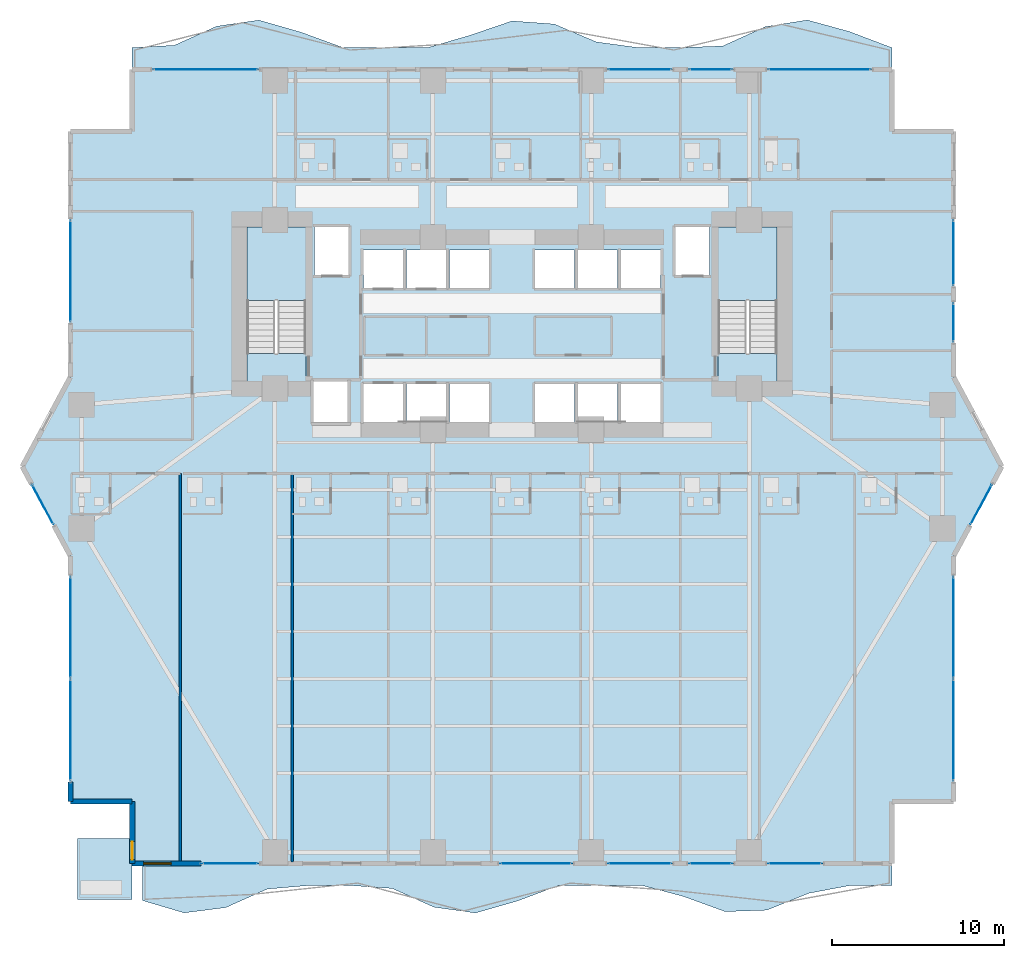
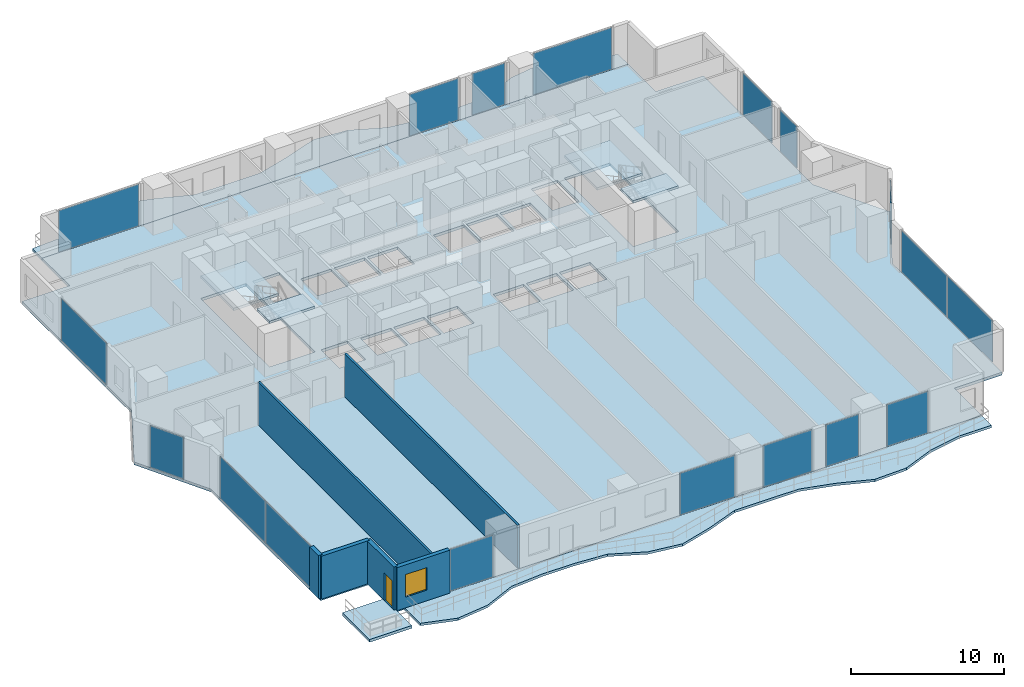
# One storey, part 17 of 28: 18 plates, 8 slabs, 6 walls, 1 door, 1 window, 2 openings, 18 elements without a shape of their own.
"""IFC4 building model written with IfcOpenShell, lengths in metres."""

from ifc_helpers import new_model, si_unit, direction, frame, frame_2d, origin, origin_2d, place, context, subcontext, project, spatial, polyline, rectangle, outline, extrude, material, layer, layer_set, type_object, element, fill, aggregate, save


model = new_model("IFC4")

# Units and contexts
model_context = context("Model", 3, precision=1e-05, world=origin(), true_north=direction((0.0, 1.0)))
body_context = subcontext(model_context, "Body", "Model", "MODEL_VIEW")
ifc_project = project(units=[si_unit("LENGTHUNIT", "METRE"), si_unit("AREAUNIT", "SQUARE_METRE"), si_unit("VOLUMEUNIT", "CUBIC_METRE"), si_unit("PLANEANGLEUNIT", "RADIAN"), si_unit("MASSUNIT", "GRAM", prefix="KILO")], contexts=[model_context])

# Site, building, storey
site_placement = place(None, origin())
site = spatial("IfcSite", under=ifc_project, at=site_placement, CompositionType="ELEMENT")
building_placement = place(site_placement, origin())
building = spatial("IfcBuilding", under=site, at=building_placement, Name="Zuhayl Quay Hotel", CompositionType="ELEMENT")
storey_placement = place(building_placement, frame((0.0, 0.0, 34.89990234375)))
storey = spatial("IfcBuildingStorey", under=building, at=storey_placement, Name="L07", CompositionType="ELEMENT", Elevation=34.89990234375)

# Curtain wall, plates
ifc_material_1 = material(Name="Anodised Aluminium 6063-T6", Category="aluminium")
ifc_layer_1 = layer(ifc_material_1, 0.18994140625, Name="Anodised Aluminium 6063-T6", Category="aluminium")
ifc_layer_set_1 = layer_set([ifc_layer_1], Name="Anodised Aluminium 6063-T6")
curtain_wall_type = type_object("IfcCurtainWallType", Name="CW_SYS_Z1", PredefinedType="USERDEFINED", material=ifc_layer_set_1)
curtain_wall_1_placement = place(storey_placement, origin())
curtain_wall_1 = element("IfcCurtainWall", 1, at=curtain_wall_1_placement, inside=storey, type_object=curtain_wall_type, Name="L07 Curtain Wall ENV_L07_E02_CW1", ObjectType="UNITISED CURTAIN WALL", PredefinedType="USERDEFINED")
ifc_material_2 = material(Name="Dark Ceramic-Fritted Solar Glass", Category="glass")
ifc_layer_2 = layer(ifc_material_2, 0.035888671875, Name="Dark Ceramic-Fritted Solar Glass", Category="glass")
ifc_layer_set_2 = layer_set([ifc_layer_2], Name="Dark Ceramic-Fritted Solar Glass")
plate_type = type_object("IfcPlateType", Name="PN_DARK_FRIT_Z1", PredefinedType="CURTAIN_PANEL", material=ifc_layer_set_2)
plate_1_placement = place(storey_placement, frame((-25.699951171875, -15.331298828125, 0.06005859375), z_axis=(0.0, 0.0, 1.0), x_axis=(0.0, 1.0, 0.0)))
plate_1 = element("IfcPlate", 2, at=plate_1_placement, type_object=plate_type, Name="CW-Z1 panel 1.1", PredefinedType="CURTAIN_PANEL", context=body_context, shape_type="SweptSolid", body=[
    extrude(rectangle(XDim=5.887451171875, YDim=0.035888671875, at=origin_2d()), origin(), (0.0, 0.0, 1.0), 3.31005859375),
])
plate_2_placement = place(storey_placement, frame((-25.699951171875, -9.36865234375, 0.06005859375), z_axis=(0.0, 0.0, 1.0), x_axis=(0.0, 1.0, 0.0)))
plate_2 = element("IfcPlate", 3, at=plate_2_placement, type_object=plate_type, Name="CW-Z1 panel 2.1", PredefinedType="CURTAIN_PANEL", context=body_context, shape_type="SweptSolid", body=[
    extrude(rectangle(XDim=5.887451171875, YDim=0.035888671875, at=origin_2d()), origin(), (0.0, 0.0, 1.0), 3.31005859375),
])
aggregate(curtain_wall_1, [plate_1, plate_2])

# Curtain wall, plate
curtain_wall_2_placement = place(storey_placement, origin())
curtain_wall_2 = element("IfcCurtainWall", 4, at=curtain_wall_2_placement, inside=storey, type_object=curtain_wall_type, Name="L07 Curtain Wall ENV_L07_E03_CW1", ObjectType="UNITISED CURTAIN WALL", PredefinedType="USERDEFINED")
plate_3_placement = place(storey_placement, frame((-27.306396484375, -2.216796875, 0.06005859375), z_axis=(0.0, 0.0, 1.0), x_axis=(-0.474091102632, 0.880475795468, 0.0)))
plate_3 = element("IfcPlate", 5, at=plate_3_placement, type_object=plate_type, Name="CW-Z1 panel 1.1", PredefinedType="CURTAIN_PANEL", context=body_context, shape_type="SweptSolid", body=[
    extrude(rectangle(XDim=2.58544921875, YDim=0.035888671875, at=origin_2d()), origin(), (0.0, 0.0, 1.0), 3.31005859375),
])
aggregate(curtain_wall_2, [plate_3])

curtain_wall_3_placement = place(storey_placement, origin())
curtain_wall_3 = element("IfcCurtainWall", 6, at=curtain_wall_3_placement, inside=storey, type_object=curtain_wall_type, Name="L07 Curtain Wall ENV_L07_E05_CW1", ObjectType="UNITISED CURTAIN WALL", PredefinedType="USERDEFINED")
plate_4_placement = place(storey_placement, frame((-25.699951171875, 11.375, 0.06005859375), z_axis=(0.0, 0.0, 1.0), x_axis=(0.0, 1.0, 0.0)))
plate_4 = element("IfcPlate", 7, at=plate_4_placement, type_object=plate_type, Name="CW-Z1 panel 1.1", PredefinedType="CURTAIN_PANEL", context=body_context, shape_type="SweptSolid", body=[
    extrude(rectangle(XDim=5.89990234375, YDim=0.035888671875, at=origin_2d()), origin(), (0.0, 0.0, 1.0), 3.31005859375),
])
aggregate(curtain_wall_3, [plate_4])

curtain_wall_4_placement = place(storey_placement, origin())
curtain_wall_4 = element("IfcCurtainWall", 8, at=curtain_wall_4_placement, inside=storey, type_object=curtain_wall_type, Name="L07 Curtain Wall ENV_L07_N_CW1", ObjectType="UNITISED CURTAIN WALL", PredefinedType="USERDEFINED")
plate_5_placement = place(storey_placement, frame((-17.8349609375, 23.10009765625, 0.06005859375), z_axis=(0.0, 0.0, 1.0), x_axis=(1.0, 0.0, 0.0)))
plate_5 = element("IfcPlate", 9, at=plate_5_placement, type_object=plate_type, Name="CW-Z1 panel 1.1", PredefinedType="CURTAIN_PANEL", context=body_context, shape_type="SweptSolid", body=[
    extrude(rectangle(XDim=6.080078125, YDim=0.035888671875, at=origin_2d()), origin(), (0.0, 0.0, 1.0), 3.31005859375),
])
aggregate(curtain_wall_4, [plate_5])

curtain_wall_5_placement = place(storey_placement, origin())
curtain_wall_5 = element("IfcCurtainWall", 10, at=curtain_wall_5_placement, inside=storey, type_object=curtain_wall_type, Name="L07 Curtain Wall ENV_L07_N_CW2", ObjectType="UNITISED CURTAIN WALL", PredefinedType="USERDEFINED")
plate_6_placement = place(storey_placement, frame((7.43505859375, 23.10009765625, 0.06005859375), z_axis=(0.0, 0.0, 1.0), x_axis=(1.0, 0.0, 0.0)))
plate_6 = element("IfcPlate", 11, at=plate_6_placement, type_object=plate_type, Name="CW-Z1 panel 1.1", PredefinedType="CURTAIN_PANEL", context=body_context, shape_type="SweptSolid", body=[
    extrude(rectangle(XDim=3.679931640625, YDim=0.035888671875, at=origin_2d()), origin(), (0.0, 0.0, 1.0), 3.31005859375),
])
aggregate(curtain_wall_5, [plate_6])

curtain_wall_6_placement = place(storey_placement, origin())
curtain_wall_6 = element("IfcCurtainWall", 12, at=curtain_wall_6_placement, inside=storey, type_object=curtain_wall_type, Name="L07 Curtain Wall ENV_L07_N_CW3", ObjectType="UNITISED CURTAIN WALL", PredefinedType="USERDEFINED")
plate_7_placement = place(storey_placement, frame((11.56494140625, 23.10009765625, 0.06005859375), z_axis=(0.0, 0.0, 1.0), x_axis=(1.0, 0.0, 0.0)))
plate_7 = element("IfcPlate", 13, at=plate_7_placement, type_object=plate_type, Name="CW-Z1 panel 1.1", PredefinedType="CURTAIN_PANEL", context=body_context, shape_type="SweptSolid", body=[
    extrude(rectangle(XDim=2.47998046875, YDim=0.035888671875, at=origin_2d()), origin(), (0.0, 0.0, 1.0), 3.31005859375),
])
aggregate(curtain_wall_6, [plate_7])

curtain_wall_7_placement = place(storey_placement, origin())
curtain_wall_7 = element("IfcCurtainWall", 14, at=curtain_wall_7_placement, inside=storey, type_object=curtain_wall_type, Name="L07 Curtain Wall ENV_L07_N_CW4", ObjectType="UNITISED CURTAIN WALL", PredefinedType="USERDEFINED")
plate_8_placement = place(storey_placement, frame((17.89990234375, 23.10009765625, 0.06005859375), z_axis=(0.0, 0.0, 1.0), x_axis=(1.0, 0.0, 0.0)))
plate_8 = element("IfcPlate", 15, at=plate_8_placement, type_object=plate_type, Name="CW-Z1 panel 1.1", PredefinedType="CURTAIN_PANEL", context=body_context, shape_type="SweptSolid", body=[
    extrude(rectangle(XDim=5.949951171875, YDim=0.035888671875, at=origin_2d()), origin(), (0.0, 0.0, 1.0), 3.31005859375),
])
aggregate(curtain_wall_7, [plate_8])

curtain_wall_8_placement = place(storey_placement, origin())
curtain_wall_8 = element("IfcCurtainWall", 16, at=curtain_wall_8_placement, inside=storey, type_object=curtain_wall_type, Name="L07 Curtain Wall ENV_L07_E11_CW1", ObjectType="UNITISED CURTAIN WALL", PredefinedType="USERDEFINED")
plate_9_placement = place(storey_placement, frame((25.699951171875, 12.43505859375, 0.06005859375), z_axis=(0.0, 0.0, 1.0), x_axis=(0.0, -1.0, 0.0)))
plate_9 = element("IfcPlate", 17, at=plate_9_placement, type_object=plate_type, Name="CW-Z1 panel 1.1", PredefinedType="CURTAIN_PANEL", context=body_context, shape_type="SweptSolid", body=[
    extrude(rectangle(XDim=3.780029296875, YDim=0.035888671875, at=origin_2d()), origin(), (0.0, 0.0, 1.0), 3.31005859375),
])
aggregate(curtain_wall_8, [plate_9])

curtain_wall_9_placement = place(storey_placement, origin())
curtain_wall_9 = element("IfcCurtainWall", 18, at=curtain_wall_9_placement, inside=storey, type_object=curtain_wall_type, Name="L07 Curtain Wall ENV_L07_E11_CW2", ObjectType="UNITISED CURTAIN WALL", PredefinedType="USERDEFINED")
plate_10_placement = place(storey_placement, frame((25.699951171875, 8.385009765625, 0.06005859375), z_axis=(0.0, 0.0, 1.0), x_axis=(0.0, -1.0, 0.0)))
plate_10 = element("IfcPlate", 19, at=plate_10_placement, type_object=plate_type, Name="CW-Z1 panel 1.1", PredefinedType="CURTAIN_PANEL", context=body_context, shape_type="SweptSolid", body=[
    extrude(rectangle(XDim=2.219970703125, YDim=0.035888671875, at=origin_2d()), origin(), (0.0, 0.0, 1.0), 3.31005859375),
])
aggregate(curtain_wall_9, [plate_10])

curtain_wall_10_placement = place(storey_placement, origin())
curtain_wall_10 = element("IfcCurtainWall", 20, at=curtain_wall_10_placement, inside=storey, type_object=curtain_wall_type, Name="L07 Curtain Wall ENV_L07_E13_CW1", ObjectType="UNITISED CURTAIN WALL", PredefinedType="USERDEFINED")
plate_11_placement = place(storey_placement, frame((27.306396484375, -2.216796875, 0.06005859375), z_axis=(0.0, 0.0, 1.0), x_axis=(-0.474091102632, -0.880475795468, 0.0)))
plate_11 = element("IfcPlate", 21, at=plate_11_placement, type_object=plate_type, Name="CW-Z1 panel 1.1", PredefinedType="CURTAIN_PANEL", context=body_context, shape_type="SweptSolid", body=[
    extrude(rectangle(XDim=2.58544921875, YDim=0.035888671875, at=origin_2d()), origin(), (0.0, 0.0, 1.0), 3.31005859375),
])
aggregate(curtain_wall_10, [plate_11])

# Curtain wall, plates
curtain_wall_11_placement = place(storey_placement, origin())
curtain_wall_11 = element("IfcCurtainWall", 22, at=curtain_wall_11_placement, inside=storey, type_object=curtain_wall_type, Name="L07 Curtain Wall ENV_L07_E14_CW1", ObjectType="UNITISED CURTAIN WALL", PredefinedType="USERDEFINED")
plate_12_placement = place(storey_placement, frame((25.699951171875, -9.36865234375, 0.06005859375), z_axis=(0.0, 0.0, 1.0), x_axis=(0.0, -1.0, 0.0)))
plate_12 = element("IfcPlate", 23, at=plate_12_placement, type_object=plate_type, Name="CW-Z1 panel 1.1", PredefinedType="CURTAIN_PANEL", context=body_context, shape_type="SweptSolid", body=[
    extrude(rectangle(XDim=5.887451171875, YDim=0.035888671875, at=origin_2d()), origin(), (0.0, 0.0, 1.0), 3.31005859375),
])
plate_13_placement = place(storey_placement, frame((25.699951171875, -15.331298828125, 0.06005859375), z_axis=(0.0, 0.0, 1.0), x_axis=(0.0, -1.0, 0.0)))
plate_13 = element("IfcPlate", 24, at=plate_13_placement, type_object=plate_type, Name="CW-Z1 panel 2.1", PredefinedType="CURTAIN_PANEL", context=body_context, shape_type="SweptSolid", body=[
    extrude(rectangle(XDim=5.887451171875, YDim=0.035888671875, at=origin_2d()), origin(), (0.0, 0.0, 1.0), 3.31005859375),
])
aggregate(curtain_wall_11, [plate_12, plate_13])

# Curtain wall, plate
curtain_wall_12_placement = place(storey_placement, origin())
curtain_wall_12 = element("IfcCurtainWall", 25, at=curtain_wall_12_placement, inside=storey, type_object=curtain_wall_type, Name="L07 Curtain Wall ENV_L07_S_CW1", ObjectType="UNITISED CURTAIN WALL", PredefinedType="USERDEFINED")
plate_14_placement = place(storey_placement, frame((16.47509765625, -23.10009765625, 0.06005859375), z_axis=(0.0, 0.0, 1.0), x_axis=(-1.0, 0.0, 0.0)))
plate_14 = element("IfcPlate", 26, at=plate_14_placement, type_object=plate_type, Name="CW-Z1 panel 1.1", PredefinedType="CURTAIN_PANEL", context=body_context, shape_type="SweptSolid", body=[
    extrude(rectangle(XDim=3.10009765625, YDim=0.035888671875, at=origin_2d()), origin(), (0.0, 0.0, 1.0), 3.31005859375),
])
aggregate(curtain_wall_12, [plate_14])

curtain_wall_13_placement = place(storey_placement, origin())
curtain_wall_13 = element("IfcCurtainWall", 27, at=curtain_wall_13_placement, inside=storey, type_object=curtain_wall_type, Name="L07 Curtain Wall ENV_L07_S_CW2", ObjectType="UNITISED CURTAIN WALL", PredefinedType="USERDEFINED")
plate_15_placement = place(storey_placement, frame((11.56494140625, -23.10009765625, 0.06005859375), z_axis=(0.0, 0.0, 1.0), x_axis=(-1.0, 0.0, 0.0)))
plate_15 = element("IfcPlate", 28, at=plate_15_placement, type_object=plate_type, Name="CW-Z1 panel 1.1", PredefinedType="CURTAIN_PANEL", context=body_context, shape_type="SweptSolid", body=[
    extrude(rectangle(XDim=2.47998046875, YDim=0.035888671875, at=origin_2d()), origin(), (0.0, 0.0, 1.0), 3.31005859375),
])
aggregate(curtain_wall_13, [plate_15])

curtain_wall_14_placement = place(storey_placement, origin())
curtain_wall_14 = element("IfcCurtainWall", 29, at=curtain_wall_14_placement, inside=storey, type_object=curtain_wall_type, Name="L07 Curtain Wall ENV_L07_S_CW3", ObjectType="UNITISED CURTAIN WALL", PredefinedType="USERDEFINED")
plate_16_placement = place(storey_placement, frame((7.43505859375, -23.10009765625, 0.06005859375), z_axis=(0.0, 0.0, 1.0), x_axis=(-1.0, 0.0, 0.0)))
plate_16 = element("IfcPlate", 30, at=plate_16_placement, type_object=plate_type, Name="CW-Z1 panel 1.1", PredefinedType="CURTAIN_PANEL", context=body_context, shape_type="SweptSolid", body=[
    extrude(rectangle(XDim=3.679931640625, YDim=0.035888671875, at=origin_2d()), origin(), (0.0, 0.0, 1.0), 3.31005859375),
])
aggregate(curtain_wall_14, [plate_16])

curtain_wall_15_placement = place(storey_placement, origin())
curtain_wall_15 = element("IfcCurtainWall", 31, at=curtain_wall_15_placement, inside=storey, type_object=curtain_wall_type, Name="L07 Curtain Wall ENV_L07_S_CW4", ObjectType="UNITISED CURTAIN WALL", PredefinedType="USERDEFINED")
plate_17_placement = place(storey_placement, frame((1.39990234375, -23.10009765625, 0.06005859375), z_axis=(0.0, 0.0, 1.0), x_axis=(-1.0, 0.0, 0.0)))
plate_17 = element("IfcPlate", 32, at=plate_17_placement, type_object=plate_type, Name="CW-Z1 panel 1.1", PredefinedType="CURTAIN_PANEL", context=body_context, shape_type="SweptSolid", body=[
    extrude(rectangle(XDim=4.14990234375, YDim=0.035888671875, at=origin_2d()), origin(), (0.0, 0.0, 1.0), 3.31005859375),
])
aggregate(curtain_wall_15, [plate_17])

curtain_wall_16_placement = place(storey_placement, origin())
curtain_wall_16 = element("IfcCurtainWall", 33, at=curtain_wall_16_placement, inside=storey, type_object=curtain_wall_type, Name="L07 Curtain Wall ENV_L07_S_CW5", ObjectType="UNITISED CURTAIN WALL", PredefinedType="USERDEFINED")
plate_18_placement = place(storey_placement, frame((-16.409912109375, -23.10009765625, 0.06005859375), z_axis=(0.0, 0.0, 1.0), x_axis=(-1.0, 0.0, 0.0)))
plate_18 = element("IfcPlate", 34, at=plate_18_placement, type_object=plate_type, Name="CW-Z1 panel 1.1", PredefinedType="CURTAIN_PANEL", context=body_context, shape_type="SweptSolid", body=[
    extrude(rectangle(XDim=3.22998046875, YDim=0.035888671875, at=origin_2d()), origin(), (0.0, 0.0, 1.0), 3.31005859375),
])
aggregate(curtain_wall_16, [plate_18])

# Slabs
ifc_material_3 = material(Name="Concrete C45/55", Category="concrete")
ifc_layer_3 = layer(ifc_material_3, 0.195068359375, Name="Concrete C45/55", Category="concrete")
ifc_layer_set_3 = layer_set([ifc_layer_3], Name="Concrete C45/55")
slab_type_1 = type_object("IfcSlabType", Name="SL_BALCONY_195", PredefinedType="FLOOR", material=ifc_layer_set_3)
slab_1_placement = place(storey_placement, frame((0.0, 0.0, -0.19482421875)))
element("IfcSlab", 35, at=slab_1_placement, inside=storey, type_object=slab_type_1, Name="L07 Exterior Rippling Balcony Slab North", PredefinedType="FLOOR", context=body_context, shape_type="SweptSolid", body=[
    extrude(outline(polyline([(-22.10009765625, 23.10009765625), (22.10009765625, 23.10009765625), (22.10009765625, 24.3798828125), (19.644287109375, 25.3125), (17.18896484375, 25.98779296875), (14.7333984375, 25.598388671875), (12.27783203125, 24.4794921875), (9.822265625, 24.3798828125), (7.36669921875, 24.3798828125), (4.9111328125, 24.7119140625), (2.45556640625, 25.7548828125), (0.0, 25.93359375), (-2.45556640625, 25.094482421875), (-4.9111328125, 24.3798828125), (-7.36669921875, 24.3798828125), (-9.822265625, 24.3798828125), (-12.27783203125, 25.2783203125), (-14.7333984375, 25.98193359375), (-17.18896484375, 25.626220703125), (-19.644287109375, 24.516845703125), (-22.10009765625, 24.3798828125), (-22.10009765625, 23.10009765625)])), origin(), (0.0, 0.0, 1.0), 0.19482421875),
])
slab_2_placement = place(storey_placement, frame((0.0, 0.0, -0.19482421875)))
element("IfcSlab", 36, at=slab_2_placement, inside=storey, type_object=slab_type_1, Name="L07 Exterior Rippling Balcony Slab South", PredefinedType="FLOOR", context=body_context, shape_type="SweptSolid", body=[
    extrude(outline(polyline([(-21.5, -25.25830078125), (-19.077880859375, -25.974853515625), (-16.655517578125, -25.664306640625), (-14.2333984375, -24.5869140625), (-11.81103515625, -24.3798828125), (-9.388916015625, -24.3798828125), (-6.966796875, -24.554443359375), (-4.54443359375, -25.6416015625), (-2.122314453125, -25.98095703125), (0.300048828125, -25.2880859375), (2.72216796875, -24.3798828125), (5.144287109375, -24.3798828125), (7.566650390625, -24.3798828125), (9.989013671875, -25.0205078125), (12.4111328125, -25.900634765625), (14.833251953125, -25.81591796875), (17.255615234375, -24.837158203125), (19.677734375, -24.3798828125), (22.10009765625, -24.3798828125), (22.10009765625, -23.10009765625), (-21.5, -23.10009765625), (-21.5, -25.25830078125)])), origin(), (0.0, 0.0, 1.0), 0.19482421875),
])
ifc_layer_4 = layer(ifc_material_3, 0.219970703125, Name="Concrete C45/55", Category="concrete")
ifc_layer_set_4 = layer_set([ifc_layer_4], Name="Concrete C45/55")
slab_type_2 = type_object("IfcSlabType", Name="SL_FLOOR_220", PredefinedType="FLOOR", material=ifc_layer_set_4)
slab_3_placement = place(storey_placement, frame((0.0, 0.0, -0.219970703125)))
element("IfcSlab", 37, at=slab_3_placement, inside=storey, type_object=slab_type_2, Name="L07 Structural Floor Slab", PredefinedType="FLOOR", context=body_context, shape_type="SweptSolid", body=[
    extrude(outline(polyline([(-22.10009765625, -23.10009765625), (22.10009765625, -23.10009765625), (22.10009765625, -19.5), (25.699951171875, -19.5), (25.699951171875, -5.199951171875), (28.5, 0.0), (25.699951171875, 5.199951171875), (25.699951171875, 19.5), (22.10009765625, 19.5), (22.10009765625, 23.10009765625), (-22.10009765625, 23.10009765625), (-22.10009765625, 19.5), (-25.699951171875, 19.5), (-25.699951171875, 5.199951171875), (-28.5, 0.0), (-25.699951171875, -5.199951171875), (-25.699951171875, -19.5), (-22.10009765625, -19.5), (-22.10009765625, -23.10009765625)]), holes=[polyline([(-12.0, 4.949951171875), (-12.0, 13.949951171875), (-15.429931640625, 13.949951171875), (-15.429931640625, 4.949951171875), (-12.0, 4.949951171875)]), polyline([(15.429931640625, 4.949951171875), (15.429931640625, 13.949951171875), (12.0, 13.949951171875), (12.0, 4.949951171875), (15.429931640625, 4.949951171875)]), polyline([(-11.5, 11.14990234375), (-9.5, 11.14990234375), (-9.5, 13.949951171875), (-11.5, 13.949951171875), (-11.5, 11.14990234375)]), polyline([(9.5, 11.14990234375), (11.5, 11.14990234375), (11.5, 13.949951171875), (9.5, 13.949951171875), (9.5, 11.14990234375)]), polyline([(-8.64990234375, 2.60009765625), (-6.35009765625, 2.60009765625), (-6.35009765625, 4.800048828125), (-8.64990234375, 4.800048828125), (-8.64990234375, 2.60009765625)]), polyline([(-6.14990234375, 2.60009765625), (-3.85009765625, 2.60009765625), (-3.85009765625, 4.800048828125), (-6.14990234375, 4.800048828125), (-6.14990234375, 2.60009765625)]), polyline([(-8.64990234375, 10.39990234375), (-6.35009765625, 10.39990234375), (-6.35009765625, 12.60009765625), (-8.64990234375, 12.60009765625), (-8.64990234375, 10.39990234375)]), polyline([(-6.14990234375, 10.39990234375), (-3.85009765625, 10.39990234375), (-3.85009765625, 12.60009765625), (-6.14990234375, 12.60009765625), (-6.14990234375, 10.39990234375)]), polyline([(-3.64990234375, 2.60009765625), (-1.35009765625, 2.60009765625), (-1.35009765625, 4.800048828125), (-3.64990234375, 4.800048828125), (-3.64990234375, 2.60009765625)]), polyline([(1.35009765625, 2.60009765625), (3.64990234375, 2.60009765625), (3.64990234375, 4.800048828125), (1.35009765625, 4.800048828125), (1.35009765625, 2.60009765625)]), polyline([(-3.64990234375, 10.39990234375), (-1.35009765625, 10.39990234375), (-1.35009765625, 12.60009765625), (-3.64990234375, 12.60009765625), (-3.64990234375, 10.39990234375)]), polyline([(1.35009765625, 10.39990234375), (3.64990234375, 10.39990234375), (3.64990234375, 12.60009765625), (1.35009765625, 12.60009765625), (1.35009765625, 10.39990234375)]), polyline([(3.85009765625, 2.60009765625), (6.14990234375, 2.60009765625), (6.14990234375, 4.800048828125), (3.85009765625, 4.800048828125), (3.85009765625, 2.60009765625)]), polyline([(6.35009765625, 2.60009765625), (8.64990234375, 2.60009765625), (8.64990234375, 4.800048828125), (6.35009765625, 4.800048828125), (6.35009765625, 2.60009765625)]), polyline([(3.85009765625, 10.39990234375), (6.14990234375, 10.39990234375), (6.14990234375, 12.60009765625), (3.85009765625, 12.60009765625), (3.85009765625, 10.39990234375)]), polyline([(6.35009765625, 10.39990234375), (8.64990234375, 10.39990234375), (8.64990234375, 12.60009765625), (6.35009765625, 12.60009765625), (6.35009765625, 10.39990234375)]), polyline([(-11.550048828125, 2.550048828125), (-9.550048828125, 2.550048828125), (-9.550048828125, 4.949951171875), (-11.550048828125, 4.949951171875), (-11.550048828125, 2.550048828125)])]), origin(), (0.0, 0.0, 1.0), 0.219970703125),
])

# Stair, slabs
stair_type = type_object("IfcStairType", Name="ST_DOGLEG_TOWER", PredefinedType="HALF_TURN_STAIR", material=ifc_material_3)
stair_1_placement = place(storey_placement, origin())
stair_1 = element("IfcStair", 38, at=stair_1_placement, inside=storey, type_object=stair_type, Name="L07 Smokeproof Exit Stair ST1", PredefinedType="HALF_TURN_STAIR")
ifc_layer_5 = layer(ifc_material_3, 0.199951171875, Name="Concrete C45/55", Category="concrete")
ifc_layer_set_5 = layer_set([ifc_layer_5], Name="Concrete C45/55")
slab_type_3 = type_object("IfcSlabType", Name="SL_STAIR_LANDING_200", PredefinedType="LANDING", material=ifc_layer_set_5)
slab_4_placement = place(storey_placement, frame((0.0, 0.0, 1.625)))
slab_4 = element("IfcSlab", 39, at=slab_4_placement, type_object=slab_type_3, Name="ST1 landing 1", PredefinedType="LANDING", context=body_context, shape_type="SweptSolid", body=[
    extrude(outline(polyline([(-12.0, 9.64990234375), (-12.0, 13.949951171875), (-15.429931640625, 13.949951171875), (-15.429931640625, 9.64990234375), (-12.0, 9.64990234375)])), origin(), (0.0, 0.0, 1.0), 0.2001953125),
])
slab_5_placement = place(storey_placement, frame((0.0, 0.0, 3.4501953125)))
slab_5 = element("IfcSlab", 40, at=slab_5_placement, type_object=slab_type_3, Name="ST1 landing 2", PredefinedType="LANDING", context=body_context, shape_type="SweptSolid", body=[
    extrude(outline(polyline([(-12.0, 4.949951171875), (-12.0, 6.590087890625), (-15.429931640625, 6.590087890625), (-15.429931640625, 4.949951171875), (-12.0, 4.949951171875)])), origin(), (0.0, 0.0, 1.0), 0.199951171875),
])
aggregate(stair_1, [slab_4, slab_5])

stair_2_placement = place(storey_placement, origin())
stair_2 = element("IfcStair", 41, at=stair_2_placement, inside=storey, type_object=stair_type, Name="L07 Smokeproof Exit Stair ST2", PredefinedType="HALF_TURN_STAIR")
slab_6_placement = place(storey_placement, frame((0.0, 0.0, 1.625)))
slab_6 = element("IfcSlab", 42, at=slab_6_placement, type_object=slab_type_3, Name="ST2 landing 1", PredefinedType="LANDING", context=body_context, shape_type="SweptSolid", body=[
    extrude(outline(polyline([(15.429931640625, 9.64990234375), (15.429931640625, 13.949951171875), (12.0, 13.949951171875), (12.0, 9.64990234375), (15.429931640625, 9.64990234375)])), origin(), (0.0, 0.0, 1.0), 0.2001953125),
])
slab_7_placement = place(storey_placement, frame((0.0, 0.0, 3.4501953125)))
slab_7 = element("IfcSlab", 43, at=slab_7_placement, type_object=slab_type_3, Name="ST2 landing 2", PredefinedType="LANDING", context=body_context, shape_type="SweptSolid", body=[
    extrude(outline(polyline([(15.429931640625, 4.949951171875), (15.429931640625, 6.590087890625), (12.0, 6.590087890625), (12.0, 4.949951171875), (15.429931640625, 4.949951171875)])), origin(), (0.0, 0.0, 1.0), 0.199951171875),
])
aggregate(stair_2, [slab_6, slab_7])

# Slab
ifc_layer_6 = layer(ifc_material_3, 0.219970703125, Name="Concrete C45/55", Category="concrete")
ifc_layer_set_6 = layer_set([ifc_layer_6], Name="Concrete C45/55")
slab_type_4 = type_object("IfcSlabType", Name="SL_TERRACE_235", PredefinedType="FLOOR", material=ifc_layer_set_6)
slab_8_placement = place(storey_placement, frame((0.0, 0.0, -0.219970703125)))
element("IfcSlab", 44, at=slab_8_placement, inside=storey, type_object=slab_type_4, Name="L07 Exterior Sky-Terrace Slab L07_SPIRAL_SW", PredefinedType="FLOOR", context=body_context, shape_type="SweptSolid", body=[
    extrude(outline(polyline([(-25.300048828125, -25.199951171875), (-22.10009765625, -25.199951171875), (-22.10009765625, -21.64990234375), (-25.300048828125, -21.64990234375), (-25.300048828125, -25.199951171875)])), origin(), (0.0, 0.0, 1.0), 0.219970703125),
])

# Walls
ifc_material_4 = material(Name="Precast concrete C45/55", Category="concrete")
ifc_layer_7 = layer(ifc_material_4, 0.300048828125, Name="Precast concrete C45/55", Category="concrete")
ifc_layer_set_7 = layer_set([ifc_layer_7], Name="Precast concrete C45/55")
wall_type_1 = type_object("IfcWallType", Name="WL_EXT_300", PredefinedType="STANDARD", material=ifc_layer_set_7)
wall_1_placement = place(storey_placement, frame((-22.10009765625, -19.5, 0.0), z_axis=(0.0, 0.0, 1.0), x_axis=(-1.0, 0.0, 0.0)))
element("IfcWall", 45, at=wall_1_placement, inside=storey, type_object=wall_type_1, Name="L07 Exterior Precast Wall ENV_L07_EW01", PredefinedType="STANDARD", context=body_context, shape_type="SweptSolid", body=[
    extrude(rectangle(XDim=3.599853515625, YDim=0.300048828125, at=frame_2d((1.7998046875, 0.0))), origin(), (0.0, 0.0, 1.0), 3.43017578125),
])
wall_2_placement = place(storey_placement, frame((-25.699951171875, -19.5, 0.0), z_axis=(0.0, 0.0, 1.0), x_axis=(0.0, 1.0, 0.0)))
element("IfcWall", 46, at=wall_2_placement, inside=storey, type_object=wall_type_1, Name="L07 Exterior Precast Wall ENV_L07_E02_EW1", PredefinedType="STANDARD", context=body_context, shape_type="SweptSolid", body=[
    extrude(rectangle(XDim=1.14990234375, YDim=0.300048828125, at=frame_2d((0.574951171875, 0.0))), origin(), (0.0, 0.0, 1.0), 3.43017578125),
])

# Wall, opening, window
wall_3_placement = place(storey_placement, frame((-18.10009765625, -23.10009765625, 0.0), z_axis=(0.0, 0.0, 1.0), x_axis=(-1.0, 0.0, 0.0)))
wall_3 = element("IfcWall", 47, at=wall_3_placement, inside=storey, type_object=wall_type_1, Name="L07 Exterior Precast Wall ENV_L07_S_EW6", PredefinedType="STANDARD", context=body_context, shape_type="SweptSolid", body=[
    extrude(rectangle(XDim=4.0, YDim=0.300048828125, at=frame_2d((2.0, 0.0))), origin(), (0.0, 0.0, 1.0), 3.43017578125),
])
opening_1_placement = place(wall_3_placement, frame((1.739990234375, 0.0, 0.85009765625)))
opening_1 = element("IfcOpeningElement", 48, at=opening_1_placement, cuts=wall_3, Name="Opening W01", PredefinedType="OPENING", context=body_context, shape_type="SweptSolid", body=[
    extrude(rectangle(XDim=1.60009765625, YDim=1.800048828125, at=frame_2d((0.800048828125, 0.89990234375))), frame((0.0, 0.159912109375, 0.0), z_axis=(0.0, -1.0, 0.0), x_axis=(1.0, 0.0, 0.0)), (0.0, 0.0, 1.0), 0.320068359375),
])
window_type = type_object("IfcWindowType", Name="WN_OPERABLE_1600", PartitioningType="DOUBLE_PANEL_VERTICAL", PredefinedType="WINDOW", material=ifc_material_2)
window_placement = place(opening_1_placement, origin())
window = element("IfcWindow", 49, at=window_placement, inside=storey, type_object=window_type, Name="L07 Operable Facade Window 6-1", OverallHeight=1.800048828125, OverallWidth=1.60009765625, PartitioningType="SINGLE_PANEL", PredefinedType="WINDOW", context=body_context, shape_type="SweptSolid", body=[
    extrude(rectangle(XDim=1.60009765625, YDim=1.800048828125, at=frame_2d((0.800048828125, 0.89990234375))), frame((0.0, 0.030029296875, 0.0), z_axis=(0.0, -1.0, 0.0), x_axis=(1.0, 0.0, 0.0)), (0.0, 0.0, 1.0), 0.06005859375),
])
fill(opening_1, window)

# Wall, opening, door
wall_4_placement = place(storey_placement, frame((-22.10009765625, -23.10009765625, 0.0), z_axis=(0.0, 0.0, 1.0), x_axis=(0.0, 1.0, 0.0)))
wall_4 = element("IfcWall", 50, at=wall_4_placement, inside=storey, type_object=wall_type_1, Name="L07 Exterior Precast Wall ENV_L07_SP_SW", PredefinedType="STANDARD", context=body_context, shape_type="SweptSolid", body=[
    extrude(rectangle(XDim=3.60009765625, YDim=0.300048828125, at=frame_2d((1.800048828125, 0.0))), origin(), (0.0, 0.0, 1.0), 3.43017578125),
])
opening_2_placement = place(wall_4_placement, frame((0.219970703125, 0.0, 0.0)))
opening_2 = element("IfcOpeningElement", 51, at=opening_2_placement, cuts=wall_4, Name="Opening DG1", PredefinedType="OPENING", context=body_context, shape_type="SweptSolid", body=[
    extrude(rectangle(XDim=1.050048828125, YDim=2.199951171875, at=frame_2d((0.52490234375, 1.10009765625))), frame((0.0, 0.159912109375, 0.0), z_axis=(0.0, -1.0, 0.0), x_axis=(1.0, 0.0, 0.0)), (0.0, 0.0, 1.0), 0.320068359375),
])
ifc_material_5 = material(Name="Anodised Aluminium and Dark Solar Glass", Category="aluminium")
door_type = type_object("IfcDoorType", Name="DR_EXT_TERR_1050", OperationType="NOTDEFINED", PredefinedType="DOOR", material=ifc_material_5)
door_placement = place(opening_2_placement, origin())
door = element("IfcDoor", 52, at=door_placement, inside=storey, type_object=door_type, Name="L07 Spiral Sky-Terrace SW Access Door", OperationType="SINGLE_SWING_LEFT", OverallHeight=2.199951171875, OverallWidth=1.050048828125, PredefinedType="DOOR", context=body_context, shape_type="SweptSolid", body=[
    extrude(rectangle(XDim=1.050048828125, YDim=2.199951171875, at=frame_2d((0.52490234375, 1.10009765625))), frame((0.0, 0.02490234375, 0.0), z_axis=(0.0, -1.0, 0.0), x_axis=(1.0, 0.0, 0.0)), (0.0, 0.0, 1.0), 0.050048828125),
])
fill(opening_2, door)

# Walls
ifc_material_6 = material(Name="Acoustic Gypsum Partition STC-58")
ifc_layer_8 = layer(ifc_material_6, 0.14990234375, Name="Acoustic Gypsum Partition STC-58")
ifc_layer_set_8 = layer_set([ifc_layer_8], Name="Acoustic Gypsum Partition STC-58")
wall_type_2 = type_object("IfcWallType", Name="WL_PART_150", PredefinedType="PARTITIONING", material=ifc_layer_set_8)
for number, where, z_axis, x_axis, name in (
    (53, (-19.300048828125, -23.02001953125, 0.0), (0.0, 0.0, 1.0), (0.0, 1.0, 0.0), "L07 Partition IW_L07_SU01A_E"),
    (54, (-12.800048828125, -23.02001953125, 0.0), (0.0, 0.0, 1.0), (0.0, 1.0, 0.0), "L07 Partition IW_L07_SU01B_E"),
):
    element("IfcWall", number, at=place(storey_placement, frame(where, z_axis=z_axis, x_axis=x_axis)), inside=storey, type_object=wall_type_2, Name=name, PredefinedType="PARTITIONING", context=body_context, shape_type="SweptSolid", body=[
        extrude(rectangle(XDim=22.6201171875, YDim=0.14990234375, at=frame_2d((11.31005859375, 0.0))), origin(), (0.0, 0.0, 1.0), 3.43017578125),
    ])

save(model, "model.ifc")
